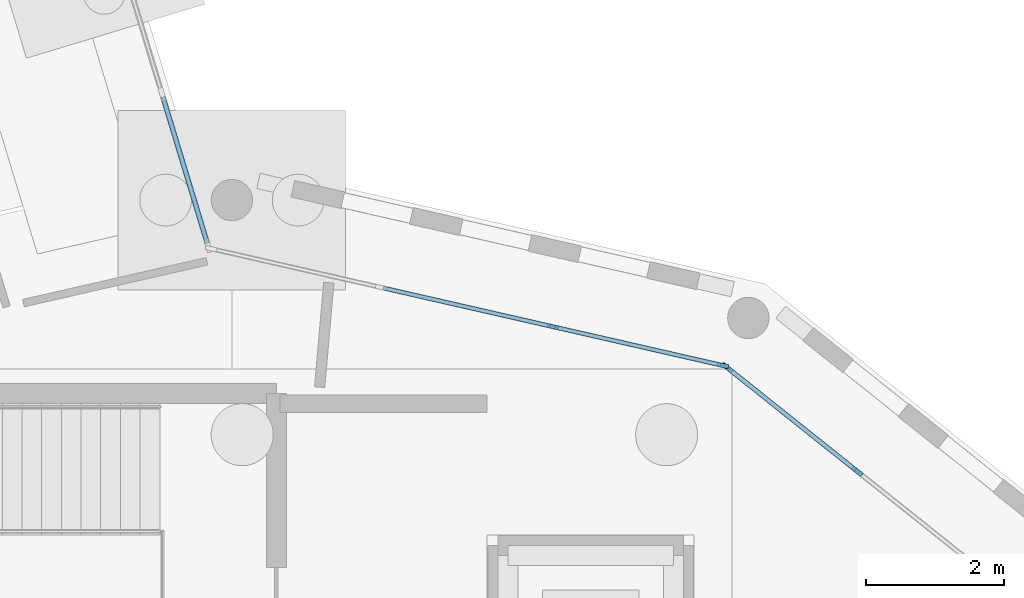
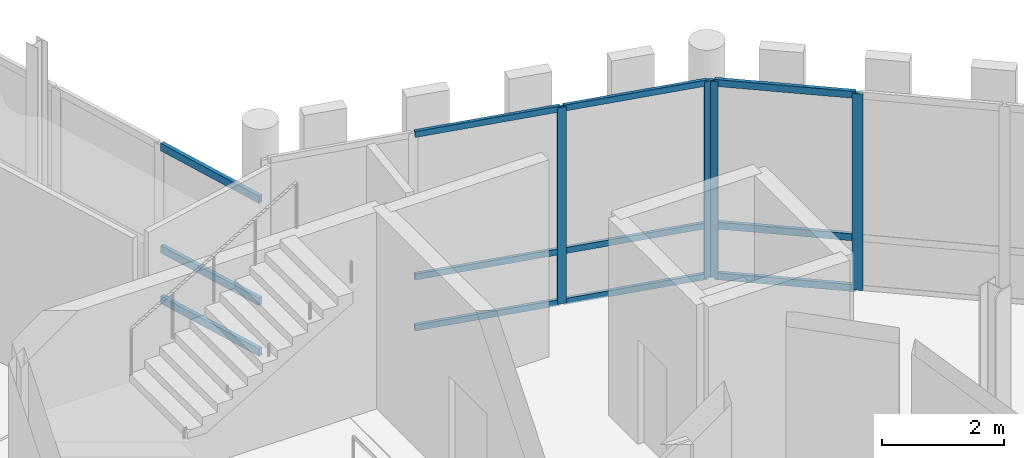
# One storey, part 34 of 113: 16 members, 3 elements without a shape of their own.
"""IFC4 building model written with IfcOpenShell, lengths in metres."""

from ifc_helpers import new_model, si_unit, direction, frame, origin, origin_2d, place, context, subcontext, project, spatial, rectangle, extrude, material, material_profile, profile_set, type_object, element, aggregate, save


model = new_model("IFC4")

# Units and contexts
model_context = context("Model", 3, precision=1e-05, world=origin(), true_north=direction((0.0, 1.0)))
body_context = subcontext(model_context, "Body", "Model", "MODEL_VIEW")
ifc_project = project(units=[si_unit("LENGTHUNIT", "METRE"), si_unit("AREAUNIT", "SQUARE_METRE"), si_unit("VOLUMEUNIT", "CUBIC_METRE"), si_unit("PLANEANGLEUNIT", "RADIAN"), si_unit("MASSUNIT", "GRAM", prefix="KILO")], contexts=[model_context])

# Site, building, storey
site_placement = place(None, origin())
site = spatial("IfcSite", under=ifc_project, at=site_placement, CompositionType="ELEMENT")
building_placement = place(site_placement, origin())
building = spatial("IfcBuilding", under=site, at=building_placement, Name="Wrenclough Park School", CompositionType="ELEMENT")
storey_placement = place(building_placement, origin())
storey = spatial("IfcBuildingStorey", under=building, at=storey_placement, Name="L00", CompositionType="ELEMENT", Elevation=0.0)

# Curtain wall, members
ifc_material_1 = material(Name="Thermally broken aluminium and low-e glass curtain wall", Category="aluminium")
curtain_wall_type_1 = type_object("IfcCurtainWallType", Name="ENV-CW-14", PredefinedType="USERDEFINED", material=ifc_material_1)
curtain_wall_1_placement = place(storey_placement, origin())
curtain_wall_1 = element("IfcCurtainWall", 1, at=curtain_wall_1_placement, inside=storey, type_object=curtain_wall_type_1, Name="L00 recessed curtain wall assembly 045", ObjectType="CURTAIN WALL", PredefinedType="USERDEFINED")
ifc_material_2 = material(Name="Thermally broken anodised aluminium", Category="aluminium")
ifc_material_profile_1 = material_profile(ifc_material_2, rectangle(XDim=0.06005859375, YDim=0.159912109375, at=origin_2d()), Name="AL MULLION 60x160")
ifc_profile_set_1 = profile_set([ifc_material_profile_1], Name="Thermally broken anodised aluminium")
member_type_1 = type_object("IfcMemberType", Name="ENV-CWM-1", PredefinedType="MULLION", material=ifc_profile_set_1)
member_1_placement = place(storey_placement, frame((41.153076171875, 38.914794921875, 0.0), z_axis=(0.0, 0.0, 1.0), x_axis=(0.222516036679, 0.97492902994, 0.0)))
member_1 = element("IfcMember", 2, at=member_1_placement, type_object=member_type_1, Name="CW-14 mullion 3", PredefinedType="MULLION", context=body_context, shape_type="SweptSolid", body=[
    extrude(rectangle(XDim=0.06005859375, YDim=0.159912109375, at=origin_2d()), origin(), (0.0, 0.0, 1.0), 3.93994140625),
])
member_2_placement = place(storey_placement, frame((43.615966796875, 38.352783203125, 0.0), z_axis=(0.0, 0.0, 1.0), x_axis=(0.222516036679, 0.97492902994, 0.0)))
member_2 = element("IfcMember", 3, at=member_2_placement, type_object=member_type_1, Name="CW-14 mullion 4", PredefinedType="MULLION", context=body_context, shape_type="SweptSolid", body=[
    extrude(rectangle(XDim=0.06005859375, YDim=0.159912109375, at=origin_2d()), origin(), (0.0, 0.0, 1.0), 3.93994140625),
])

curtain_wall_type_2 = type_object("IfcCurtainWallType", Name="ENV-CW-15", PredefinedType="USERDEFINED", material=ifc_material_1)
curtain_wall_2_placement = place(storey_placement, origin())
curtain_wall_2 = element("IfcCurtainWall", 4, at=curtain_wall_2_placement, inside=storey, type_object=curtain_wall_type_2, Name="L00 recessed curtain wall assembly 046", ObjectType="CURTAIN WALL", PredefinedType="USERDEFINED")
ifc_material_profile_2 = material_profile(ifc_material_2, rectangle(XDim=0.06494140625, YDim=0.179931640625, at=origin_2d()), Name="AL MULLION 65x180")
ifc_profile_set_2 = profile_set([ifc_material_profile_2], Name="Thermally broken anodised aluminium")
member_type_2 = type_object("IfcMemberType", Name="ENV-CWM-2", PredefinedType="MULLION", material=ifc_profile_set_2)
member_3_placement = place(storey_placement, frame((43.677734375, 38.322509765625, 0.0), z_axis=(0.0, 0.0, 1.0), x_axis=(0.623498909972, 0.781824218903, 0.0)))
member_3 = element("IfcMember", 5, at=member_3_placement, type_object=member_type_2, Name="CW-15 mullion 1", PredefinedType="MULLION", context=body_context, shape_type="SweptSolid", body=[
    extrude(rectangle(XDim=0.06494140625, YDim=0.179931640625, at=origin_2d()), origin(), (0.0, 0.0, 1.0), 3.93994140625),
])
member_4_placement = place(storey_placement, frame((45.561279296875, 36.8203125, 0.0), z_axis=(0.0, 0.0, 1.0), x_axis=(0.623498909972, 0.781824218903, 0.0)))
member_4 = element("IfcMember", 6, at=member_4_placement, type_object=member_type_2, Name="CW-15 mullion 2", PredefinedType="MULLION", context=body_context, shape_type="SweptSolid", body=[
    extrude(rectangle(XDim=0.06494140625, YDim=0.179931640625, at=origin_2d()), origin(), (0.0, 0.0, 1.0), 3.93994140625),
])

# Member
ifc_material_profile_3 = material_profile(ifc_material_2, rectangle(XDim=0.06005859375, YDim=0.1201171875, at=origin_2d()), Name="AL TRANSOM 60x120")
ifc_profile_set_3 = profile_set([ifc_material_profile_3], Name="Thermally broken anodised aluminium")
member_type_3 = type_object("IfcMemberType", Name="ENV-CWT-1", PredefinedType="USERDEFINED", material=ifc_profile_set_3)
member_5_placement = place(storey_placement, frame((38.690185546875, 39.47705078125, 0.030029296875), z_axis=(0.97493553239, -0.222487545008, 0.0), x_axis=(0.222487545008, 0.97493553239, 0.0)))
member_5 = element("IfcMember", 7, at=member_5_placement, type_object=member_type_3, Name="CW-14 transom 2.1", ObjectType="TRANSOM", PredefinedType="USERDEFINED", context=body_context, shape_type="SweptSolid", body=[
    extrude(rectangle(XDim=0.06005859375, YDim=0.1201171875, at=origin_2d()), origin(), (0.0, 0.0, 1.0), 2.496337890625),
])

member_6_placement = place(storey_placement, frame((38.690185546875, 39.47705078125, 1.050048828125), z_axis=(0.97493553239, -0.222487545008, 0.0), x_axis=(0.222487545008, 0.97493553239, 0.0)))
member_6 = element("IfcMember", 8, at=member_6_placement, type_object=member_type_3, Name="CW-14 transom 2.2", ObjectType="TRANSOM", PredefinedType="USERDEFINED", context=body_context, shape_type="SweptSolid", body=[
    extrude(rectangle(XDim=0.06005859375, YDim=0.1201171875, at=origin_2d()), origin(), (0.0, 0.0, 1.0), 2.496337890625),
])

member_7_placement = place(storey_placement, frame((38.690185546875, 39.47705078125, 3.909912109375), z_axis=(0.97493553239, -0.222487545008, 0.0), x_axis=(0.222487545008, 0.97493553239, 0.0)))
member_7 = element("IfcMember", 9, at=member_7_placement, type_object=member_type_3, Name="CW-14 transom 2.3", ObjectType="TRANSOM", PredefinedType="USERDEFINED", context=body_context, shape_type="SweptSolid", body=[
    extrude(rectangle(XDim=0.06005859375, YDim=0.1201171875, at=origin_2d()), origin(), (0.0, 0.0, 1.0), 2.496337890625),
])

member_8_placement = place(storey_placement, frame((41.182373046875, 38.908203125, 0.030029296875), z_axis=(0.974927267497, -0.222523758486, 0.0), x_axis=(0.222523758486, 0.974927267497, 0.0)))
member_8 = element("IfcMember", 10, at=member_8_placement, type_object=member_type_3, Name="CW-14 transom 3.1", ObjectType="TRANSOM", PredefinedType="USERDEFINED", context=body_context, shape_type="SweptSolid", body=[
    extrude(rectangle(XDim=0.06005859375, YDim=0.1201171875, at=origin_2d()), origin(), (0.0, 0.0, 1.0), 2.46630859375),
])

member_9_placement = place(storey_placement, frame((41.182373046875, 38.908203125, 1.050048828125), z_axis=(0.974927267497, -0.222523758486, 0.0), x_axis=(0.222523758486, 0.974927267497, 0.0)))
member_9 = element("IfcMember", 11, at=member_9_placement, type_object=member_type_3, Name="CW-14 transom 3.2", ObjectType="TRANSOM", PredefinedType="USERDEFINED", context=body_context, shape_type="SweptSolid", body=[
    extrude(rectangle(XDim=0.06005859375, YDim=0.1201171875, at=origin_2d()), origin(), (0.0, 0.0, 1.0), 2.46630859375),
])

member_10_placement = place(storey_placement, frame((41.182373046875, 38.908203125, 3.909912109375), z_axis=(0.974927267497, -0.222523758486, 0.0), x_axis=(0.222523758486, 0.974927267497, 0.0)))
member_10 = element("IfcMember", 12, at=member_10_placement, type_object=member_type_3, Name="CW-14 transom 3.3", ObjectType="TRANSOM", PredefinedType="USERDEFINED", context=body_context, shape_type="SweptSolid", body=[
    extrude(rectangle(XDim=0.06005859375, YDim=0.1201171875, at=origin_2d()), origin(), (0.0, 0.0, 1.0), 2.46630859375),
])

aggregate(curtain_wall_1, [member_1, member_2, member_5, member_6, member_7, member_8, member_9, member_10])

ifc_material_profile_4 = material_profile(ifc_material_2, rectangle(XDim=0.06494140625, YDim=0.139892578125, at=origin_2d()), Name="AL TRANSOM 65x140")
ifc_profile_set_4 = profile_set([ifc_material_profile_4], Name="Thermally broken anodised aluminium")
member_type_4 = type_object("IfcMemberType", Name="ENV-CWT-2", PredefinedType="USERDEFINED", material=ifc_profile_set_4)
member_11_placement = place(storey_placement, frame((43.703125, 38.30224609375, 0.032470703125), z_axis=(0.781812837052, -0.623513181754, 0.0), x_axis=(0.623513181754, 0.781812837052, 0.0)))
member_11 = element("IfcMember", 13, at=member_11_placement, type_object=member_type_4, Name="CW-15 transom 1.1", ObjectType="TRANSOM", PredefinedType="USERDEFINED", context=body_context, shape_type="SweptSolid", body=[
    extrude(rectangle(XDim=0.06494140625, YDim=0.139892578125, at=origin_2d()), origin(), (0.0, 0.0, 1.0), 2.34423828125),
])

member_12_placement = place(storey_placement, frame((43.703125, 38.30224609375, 1.050048828125), z_axis=(0.781812837052, -0.623513181754, 0.0), x_axis=(0.623513181754, 0.781812837052, 0.0)))
member_12 = element("IfcMember", 14, at=member_12_placement, type_object=member_type_4, Name="CW-15 transom 1.2", ObjectType="TRANSOM", PredefinedType="USERDEFINED", context=body_context, shape_type="SweptSolid", body=[
    extrude(rectangle(XDim=0.06494140625, YDim=0.139892578125, at=origin_2d()), origin(), (0.0, 0.0, 1.0), 2.34423828125),
])

member_13_placement = place(storey_placement, frame((43.703125, 38.30224609375, 3.907470703125), z_axis=(0.781812837052, -0.623513181754, 0.0), x_axis=(0.623513181754, 0.781812837052, 0.0)))
member_13 = element("IfcMember", 15, at=member_13_placement, type_object=member_type_4, Name="CW-15 transom 1.3", ObjectType="TRANSOM", PredefinedType="USERDEFINED", context=body_context, shape_type="SweptSolid", body=[
    extrude(rectangle(XDim=0.06494140625, YDim=0.139892578125, at=origin_2d()), origin(), (0.0, 0.0, 1.0), 2.34423828125),
])

aggregate(curtain_wall_2, [member_3, member_4, member_11, member_12, member_13])

# Curtain wall, members
curtain_wall_type_3 = type_object("IfcCurtainWallType", Name="ENV-CW-04", PredefinedType="USERDEFINED", material=ifc_material_1)
curtain_wall_3_placement = place(storey_placement, origin())
curtain_wall_3 = element("IfcCurtainWall", 16, at=curtain_wall_3_placement, inside=storey, type_object=curtain_wall_type_3, Name="L00 recessed curtain wall assembly 083", ObjectType="CURTAIN WALL", PredefinedType="USERDEFINED")
ifc_material_profile_5 = material_profile(ifc_material_2, rectangle(XDim=0.070068359375, YDim=0.14990234375, at=origin_2d()), Name="AL TRANSOM 70x150")
ifc_profile_set_5 = profile_set([ifc_material_profile_5], Name="Thermally broken anodised aluminium")
member_type_5 = type_object("IfcMemberType", Name="ENV-CWT-3", PredefinedType="USERDEFINED", material=ifc_profile_set_5)
member_14_placement = place(storey_placement, frame((35.50048828125, 42.245849609375, 0.034912109375), z_axis=(0.290074637826, -0.957004025326, 0.0), x_axis=(0.957004025326, 0.290074637826, 0.0)))
member_14 = element("IfcMember", 17, at=member_14_placement, type_object=member_type_5, Name="CW-04 transom 3.1", ObjectType="TRANSOM", PredefinedType="USERDEFINED", context=body_context, shape_type="SweptSolid", body=[
    extrude(rectangle(XDim=0.070068359375, YDim=0.14990234375, at=origin_2d()), origin(), (0.0, 0.0, 1.0), 2.216796875),
])
member_15_placement = place(storey_placement, frame((35.50048828125, 42.245849609375, 1.050048828125), z_axis=(0.290074637826, -0.957004025326, 0.0), x_axis=(0.957004025326, 0.290074637826, 0.0)))
member_15 = element("IfcMember", 18, at=member_15_placement, type_object=member_type_5, Name="CW-04 transom 3.2", ObjectType="TRANSOM", PredefinedType="USERDEFINED", context=body_context, shape_type="SweptSolid", body=[
    extrude(rectangle(XDim=0.070068359375, YDim=0.14990234375, at=origin_2d()), origin(), (0.0, 0.0, 1.0), 2.216796875),
])
member_16_placement = place(storey_placement, frame((35.50048828125, 42.245849609375, 3.096923828125), z_axis=(0.290074637826, -0.957004025326, 0.0), x_axis=(0.957004025326, 0.290074637826, 0.0)))
member_16 = element("IfcMember", 19, at=member_16_placement, type_object=member_type_5, Name="CW-04 transom 3.3", ObjectType="TRANSOM", PredefinedType="USERDEFINED", context=body_context, shape_type="SweptSolid", body=[
    extrude(rectangle(XDim=0.070068359375, YDim=0.14990234375, at=origin_2d()), origin(), (0.0, 0.0, 1.0), 2.216796875),
])
aggregate(curtain_wall_3, [member_14, member_15, member_16])

save(model, "model.ifc")
